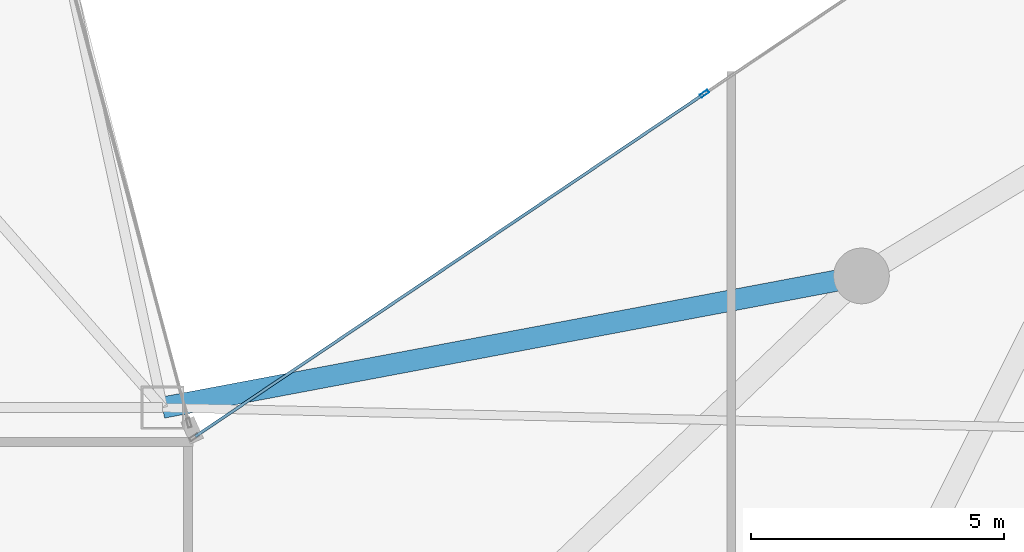
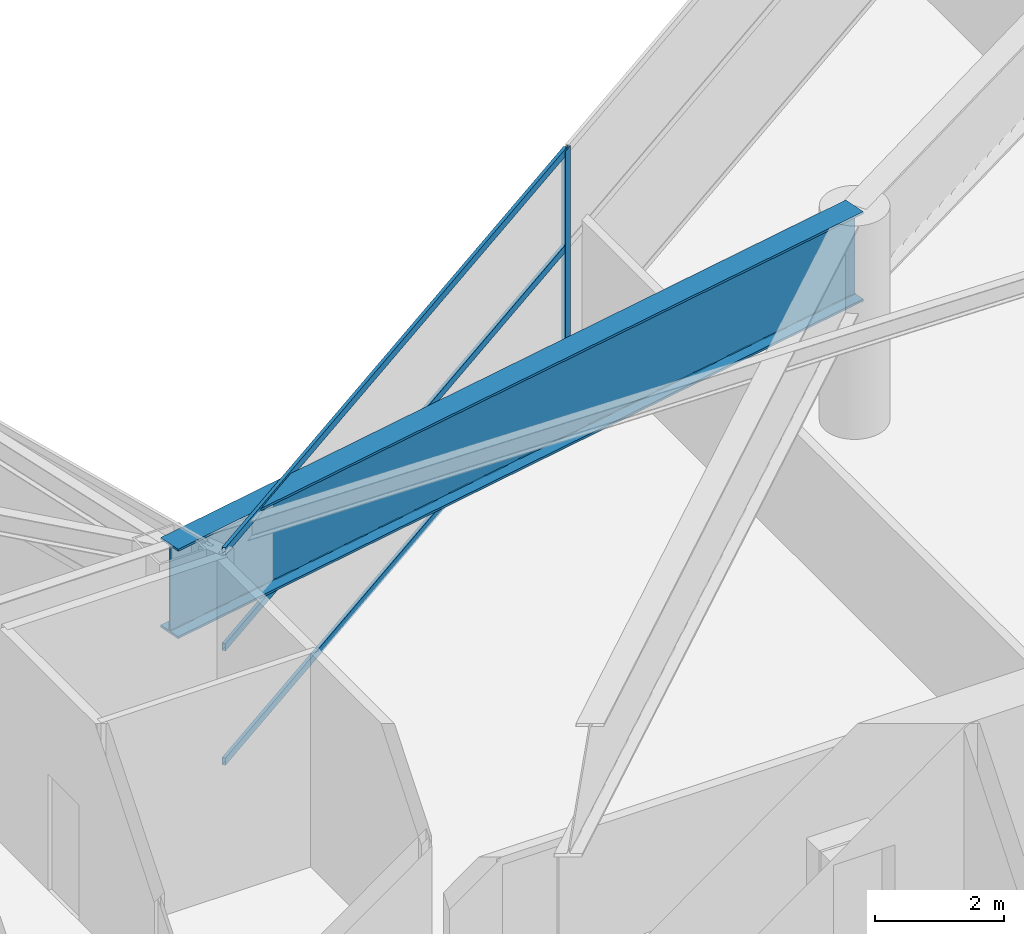
# One storey, part 12 of 30: 4 members, 1 beam, 1 element without a shape of its own.
"""IFC4 building model written with IfcOpenShell, lengths in metres."""

import ifcopenshell
import ifcopenshell.guid

model = None  # the IFC model being written
_history = None  # IfcOwnerHistory: only IFC2X3 demands one
_inside = {}  # id of a spatial element -> (the spatial element, [elements in it])
_under = {}  # id of a project, library or spatial element -> (it, [spatial elements below it])
_declared = {}  # id of a project -> (the project, [libraries it declares])
_typed = {}  # id of a type object -> (the type object, [elements of that type])
_made_of = {}  # id of a material, layer set ... -> (it, [elements and type objects made of it])


def new_model(schema):
    """Start an empty IFC model of exactly this schema.

    Asked for "IFC4X3", IfcOpenShell would pick the latest addendum, in which some entities
    have other attributes; the version numbers below select the first issue.
    IFC2X3 requires an IfcOwnerHistory on every rooted entity: one is made here for all.
    """
    global model, _history
    if schema == "IFC4X3":
        model = ifcopenshell.file(schema_version=(4, 3, 0, 0))
    else:
        model = ifcopenshell.file(schema=schema)
    _inside.clear()
    _under.clear()
    _declared.clear()
    _typed.clear()
    _made_of.clear()
    _history = None
    if model.schema == "IFC2X3":
        org = make("IfcOrganization", Name="unknown")
        user = make(
            "IfcPersonAndOrganization",
            ThePerson=make("IfcPerson", FamilyName="unknown"),
            TheOrganization=org,
        )
        app = make(
            "IfcApplication",
            ApplicationDeveloper=org,
            Version="unknown",
            ApplicationFullName="unknown",
            ApplicationIdentifier="unknown",
        )
        _history = make(
            "IfcOwnerHistory",
            OwningUser=user,
            OwningApplication=app,
            ChangeAction="ADDED",
            CreationDate=0,
        )
    return model


def make(cls, **values):
    """One entity of the class cls with the attributes given. An attribute that is None is left unset."""
    return model.create_entity(
        cls, **{name: value for name, value in values.items() if value is not None}
    )


def rooted(cls, **values):
    """An entity with a GlobalId (a new one), such as an element, a storey or a relation."""
    return make(cls, GlobalId=ifcopenshell.guid.new(), OwnerHistory=_history, **values)


def si_unit(unit_type, name, prefix=None):
    """IfcSIUnit, for example si_unit("LENGTHUNIT", "METRE", prefix="MILLI")."""
    return make("IfcSIUnit", UnitType=unit_type, Prefix=prefix, Name=name)


def assignment(units):
    """IfcUnitAssignment: the units of a project."""
    return None if units is None else make("IfcUnitAssignment", Units=units)


def point(xyz):
    """IfcCartesianPoint."""
    return None if xyz is None else make("IfcCartesianPoint", Coordinates=xyz)


def direction(xyz):
    """IfcDirection."""
    return None if xyz is None else make("IfcDirection", DirectionRatios=xyz)


def frame(location, z_axis=None, x_axis=None):
    """IfcAxis2Placement3D, a coordinate frame: its origin and axes. An axis left out is left unset."""
    return make(
        "IfcAxis2Placement3D",
        Location=point(location),
        Axis=direction(z_axis),
        RefDirection=direction(x_axis),
    )


def frame_2d(location, x_axis=None):
    """IfcAxis2Placement2D, a coordinate frame in the plane: its origin and x axis."""
    return make(
        "IfcAxis2Placement2D", Location=point(location), RefDirection=direction(x_axis)
    )


def origin():
    """The frame at (0, 0, 0) with its axes left unset."""
    return frame((0.0, 0.0, 0.0))


def origin_2d():
    """The frame at (0, 0) in the plane with its x axis left unset."""
    return frame_2d((0.0, 0.0))


def place(relative_to, where):
    """IfcLocalPlacement: puts the frame where relative to a parent placement (None: the world)."""
    return make(
        "IfcLocalPlacement", PlacementRelTo=relative_to, RelativePlacement=where
    )


def context(
    kind, dimensions, precision=None, world=None, true_north=None, identifier=None
):
    """IfcGeometricRepresentationContext, for example the 3D "Model" context."""
    return make(
        "IfcGeometricRepresentationContext",
        ContextIdentifier=identifier,
        ContextType=kind,
        CoordinateSpaceDimension=dimensions,
        Precision=precision,
        WorldCoordinateSystem=world,
        TrueNorth=true_north,
    )


def subcontext(parent, identifier, kind, view, scale=None):
    """IfcGeometricRepresentationSubContext, for example "Body" below "Model"."""
    return make(
        "IfcGeometricRepresentationSubContext",
        ContextIdentifier=identifier,
        ContextType=kind,
        ParentContext=parent,
        TargetScale=scale,
        TargetView=view,
    )


def project(units=None, contexts=None):
    """IfcProject with its units and contexts."""
    return rooted(
        "IfcProject",
        Name="project",
        RepresentationContexts=contexts,
        UnitsInContext=assignment(units),
    )


def spatial(cls, under=None, at=None, **own):
    """A site, building, storey or space (cls), placed at a placement, below another one or the project."""
    s = rooted(cls, ObjectPlacement=at, **own)
    if under is not None:
        _under.setdefault(under.id(), (under, []))[1].append(s)
    return s


def profile(cls, at=None, kind="AREA", **sizes):
    """A parametric profile (cls). Its sizes go by their IFC names, for example OverallWidth=200.0."""
    return make(cls, ProfileType=kind, Position=at, **sizes)


def hollow_rectangle(**sizes):
    """IfcRectangleHollowProfileDef."""
    return profile("IfcRectangleHollowProfileDef", **sizes)


def i_section(**sizes):
    """IfcIShapeProfileDef."""
    return profile("IfcIShapeProfileDef", **sizes)


def extrude(swept, where, along, depth):
    """IfcExtrudedAreaSolid: the profile swept, set in the frame where, extruded along a direction by depth."""
    return make(
        "IfcExtrudedAreaSolid",
        SweptArea=swept,
        Position=where,
        ExtrudedDirection=direction(along),
        Depth=depth,
    )


def shape(context_of_items, identifier, shape_type, items):
    """IfcShapeRepresentation: the items that make up one representation, for example the "Body"."""
    return make(
        "IfcShapeRepresentation",
        ContextOfItems=context_of_items,
        RepresentationIdentifier=identifier,
        RepresentationType=shape_type,
        Items=items,
    )


def material(Name=None, Category=None):
    """IfcMaterial."""
    return make("IfcMaterial", Name=Name, Category=Category)


def layer(
    of_material, thickness, ventilated=None, Name=None, Category=None, Priority=None
):
    """IfcMaterialLayer: one layer of a wall or slab, of a material (None: an air gap)."""
    return make(
        "IfcMaterialLayer",
        Material=of_material,
        LayerThickness=thickness,
        IsVentilated=ventilated,
        Name=Name,
        Category=Category,
        Priority=Priority,
    )


def layer_set(layers, Name=None):
    """IfcMaterialLayerSet."""
    return make("IfcMaterialLayerSet", MaterialLayers=layers, LayerSetName=Name)


def material_profile(
    of_material, cross_section, Name=None, Category=None, Priority=None
):
    """IfcMaterialProfile: a cross section and its material."""
    return make(
        "IfcMaterialProfile",
        Name=Name,
        Material=of_material,
        Profile=cross_section,
        Priority=Priority,
        Category=Category,
    )


def profile_set(profiles, Name=None, composite=None):
    """IfcMaterialProfileSet."""
    return make(
        "IfcMaterialProfileSet",
        Name=Name,
        MaterialProfiles=profiles,
        CompositeProfile=composite,
    )


def made_of(thing, what):
    """Note that an element or type object is made of a material, layer set ...; save() writes the relation."""
    if what is not None:
        _made_of.setdefault(what.id(), (what, []))[1].append(thing)
    return thing


def type_object(cls, material=None, **own):
    """A type object (cls), such as IfcWallType, which elements share."""
    return made_of(rooted(cls, **own), material)


def element(
    cls,
    number,
    at=None,
    inside=None,
    cuts=None,
    type_object=None,
    material=None,
    context=None,
    identifier="Body",
    shape_type=None,
    held_by="IfcProductDefinitionShape",
    body=None,
    shapes=None,
    **own,
):
    """One element of the class cls, such as IfcWall. Its Tag is "e" and its number.

    at: its placement. inside: the storey or other place that contains it. cuts: it is an
    opening in that element (IfcRelVoidsElement). A single representation is given by context,
    identifier, shape_type and body (its items); several are given by shapes. held_by: the class
    of the entity that holds the representations. save() writes the other relations.
    """
    e = rooted(cls, Tag="e%d" % number, ObjectPlacement=at, **own)
    if body is not None:
        shapes = [shape(context, identifier, shape_type, body)]
    if shapes is not None:
        e.Representation = make(held_by, Representations=shapes)
    if inside is not None:
        _inside.setdefault(inside.id(), (inside, []))[1].append(e)
    if cuts is not None:
        rooted(
            "IfcRelVoidsElement", RelatingBuildingElement=cuts, RelatedOpeningElement=e
        )
    if type_object is not None:
        _typed.setdefault(type_object.id(), (type_object, []))[1].append(e)
    return made_of(e, material)


def aggregate(whole, parts):
    """IfcRelAggregates: a whole, such as a stair, and the parts it consists of."""
    return rooted("IfcRelAggregates", RelatingObject=whole, RelatedObjects=parts)


def save(model, path):
    """Write the relations noted so far, then the file.

    IfcRelAggregates (storeys below a building ...), IfcRelContainedInSpatialStructure (elements
    in a storey), IfcRelDefinesByType, IfcRelAssociatesMaterial and IfcRelDeclares: one each for
    every whole, place, type object, material and project.
    """
    for whole, parts in _under.values():
        aggregate(whole, parts)
    for where, things in _inside.values():
        rooted(
            "IfcRelContainedInSpatialStructure",
            RelatedElements=things,
            RelatingStructure=where,
        )
    for kind, things in _typed.values():
        rooted("IfcRelDefinesByType", RelatedObjects=things, RelatingType=kind)
    for what, things in _made_of.values():
        rooted("IfcRelAssociatesMaterial", RelatedObjects=things, RelatingMaterial=what)
    for by, libraries in _declared.values():
        rooted("IfcRelDeclares", RelatingContext=by, RelatedDefinitions=libraries)
    model.write(path)


model = new_model("IFC4")

# Units and contexts
model_context = context("Model", 3, precision=1e-05, world=origin(), true_north=direction((0.0, 1.0)))
body_context = subcontext(model_context, "Body", "Model", "MODEL_VIEW")
ifc_project = project(units=[si_unit("LENGTHUNIT", "METRE"), si_unit("AREAUNIT", "SQUARE_METRE"), si_unit("VOLUMEUNIT", "CUBIC_METRE"), si_unit("PLANEANGLEUNIT", "RADIAN"), si_unit("MASSUNIT", "GRAM", prefix="KILO")], contexts=[model_context])

# Site, building, storey
site_placement = place(None, origin())
site = spatial("IfcSite", under=ifc_project, at=site_placement, CompositionType="ELEMENT")
building_placement = place(site_placement, origin())
building = spatial("IfcBuilding", under=site, at=building_placement, Name="Calvorn Quay Hotel", CompositionType="ELEMENT")
storey_placement = place(building_placement, frame((0.0, 0.0, 195.10009765625)))
storey = spatial("IfcBuildingStorey", under=building, at=storey_placement, Name="L48", CompositionType="ELEMENT", Elevation=195.10009765625)

# Beam
ifc_material_1 = material(Name="Steel Q420GJC", Category="steel")
ifc_material_profile_1 = material_profile(ifc_material_1, i_section(OverallWidth=0.419921875, OverallDepth=1.699951171875, WebThickness=0.02392578125, FlangeThickness=0.0419921875, FilletRadius=0.02392578125, at=origin_2d()), Name="HN1700x420x24x42")
ifc_profile_set_1 = profile_set([ifc_material_profile_1], Name="Steel Q420GJC")
beam_type = type_object("IfcBeamType", Name="BM-XFER-SAWTOOTH", PredefinedType="BEAM", material=ifc_profile_set_1)
beam_placement = place(storey_placement, frame((34.800048828125, 27.60009765625, 3.199951171875), z_axis=(-0.982709432406, -0.185154452988, 0.0), x_axis=(0.185154452988, -0.982709432406, 0.0)))
element("IfcBeam", 1, at=beam_placement, inside=storey, type_object=beam_type, Name="Beam BSP-L48-E4", PredefinedType="BEAM", context=body_context, shape_type="SweptSolid", body=[
    extrude(i_section(OverallWidth=0.419921875, OverallDepth=1.699951171875, WebThickness=0.02392578125, FlangeThickness=0.0419921875, FilletRadius=0.02392578125, at=origin_2d()), origin(), (0.0, 0.0, 1.0), 14.04296875),
])

# Curtain wall, members
ifc_material_2 = material(Name="Champagne Bronze Anodised Aluminium and Low-E Glass", Category="aluminium")
ifc_layer = layer(ifc_material_2, 0.219970703125)
ifc_layer_set = layer_set([ifc_layer], Name="CW-SYS-Z3")
curtain_wall_type = type_object("IfcCurtainWallType", Name="CW-SYS-Z3", PredefinedType="NOTDEFINED", material=ifc_layer_set)
curtain_wall_placement = place(storey_placement, origin())
curtain_wall = element("IfcCurtainWall", 2, at=curtain_wall_placement, inside=storey, type_object=curtain_wall_type, Name="Inner Court Curtain Wall L48-NE1", PredefinedType="NOTDEFINED")
ifc_material_3 = material(Name="Champagne Bronze Anodised Aluminium 6063-T6", Category="aluminium")
ifc_material_profile_2 = material_profile(ifc_material_3, hollow_rectangle(XDim=0.068115234375, YDim=0.18505859375, WallThickness=0.00390625, at=origin_2d()), Name="ALU-M185x68x4")
ifc_profile_set_2 = profile_set([ifc_material_profile_2], Name="Champagne Bronze Anodised Aluminium 6063-T6")
member_type_1 = type_object("IfcMemberType", Name="CW-SYS-Z3-MUL", PredefinedType="MULLION", material=ifc_profile_set_2)
member_1_placement = place(storey_placement, frame((31.699951171875, 31.199951171875, 0.0), z_axis=(0.0, 0.0, 1.0), x_axis=(0.558485062395, -0.82951457798, 0.0)))
member_1 = element("IfcMember", 3, at=member_1_placement, type_object=member_type_1, Name="CW-L48-NE1 mullion 2", PredefinedType="MULLION", context=body_context, shape_type="SweptSolid", body=[
    extrude(hollow_rectangle(XDim=0.068115234375, YDim=0.18505859375, WallThickness=0.00390625, at=origin_2d()), origin(), (0.0, 0.0, 1.0), 4.0498046875),
])
ifc_material_4 = material(Name="Champagne Bronze Anodised Aluminium 6063-T6", Category="aluminium")
ifc_material_profile_3 = material_profile(ifc_material_4, hollow_rectangle(XDim=0.05810546875, YDim=0.139892578125, WallThickness=0.003173828125, at=origin_2d()), Name="ALU-T140x58x3.2")
ifc_profile_set_3 = profile_set([ifc_material_profile_3], Name="Champagne Bronze Anodised Aluminium 6063-T6")
member_type_2 = type_object("IfcMemberType", Name="CW-SYS-Z3-TRN", PredefinedType="USERDEFINED", material=ifc_profile_set_3)
member_2_placement = place(storey_placement, frame((31.675048828125, 31.183349609375, 0.02978515625), z_axis=(-0.82951504126, -0.558484374287, 0.0), x_axis=(0.558484374287, -0.82951504126, 0.0)))
member_2 = element("IfcMember", 4, at=member_2_placement, type_object=member_type_2, Name="CW-L48-NE1 transom 2.1", ObjectType="TRANSOM", PredefinedType="USERDEFINED", context=body_context, shape_type="SweptSolid", body=[
    extrude(hollow_rectangle(XDim=0.05810546875, YDim=0.139892578125, WallThickness=0.003173828125, at=origin_2d()), origin(), (0.0, 0.0, 1.0), 12.0859375),
])
member_3_placement = place(storey_placement, frame((31.675048828125, 31.183349609375, 2.199951171875), z_axis=(-0.82951504126, -0.558484374287, 0.0), x_axis=(0.558484374287, -0.82951504126, 0.0)))
member_3 = element("IfcMember", 5, at=member_3_placement, type_object=member_type_2, Name="CW-L48-NE1 transom 2.2", ObjectType="TRANSOM", PredefinedType="USERDEFINED", context=body_context, shape_type="SweptSolid", body=[
    extrude(hollow_rectangle(XDim=0.05810546875, YDim=0.139892578125, WallThickness=0.003173828125, at=origin_2d()), origin(), (0.0, 0.0, 1.0), 12.0859375),
])
member_4_placement = place(storey_placement, frame((31.675048828125, 31.183349609375, 4.02001953125), z_axis=(-0.82951504126, -0.558484374287, 0.0), x_axis=(0.558484374287, -0.82951504126, 0.0)))
member_4 = element("IfcMember", 6, at=member_4_placement, type_object=member_type_2, Name="CW-L48-NE1 transom 2.3", ObjectType="TRANSOM", PredefinedType="USERDEFINED", context=body_context, shape_type="SweptSolid", body=[
    extrude(hollow_rectangle(XDim=0.05810546875, YDim=0.139892578125, WallThickness=0.003173828125, at=origin_2d()), origin(), (0.0, 0.0, 1.0), 12.0859375),
])
aggregate(curtain_wall, [member_1, member_2, member_3, member_4])

save(model, "model.ifc")
